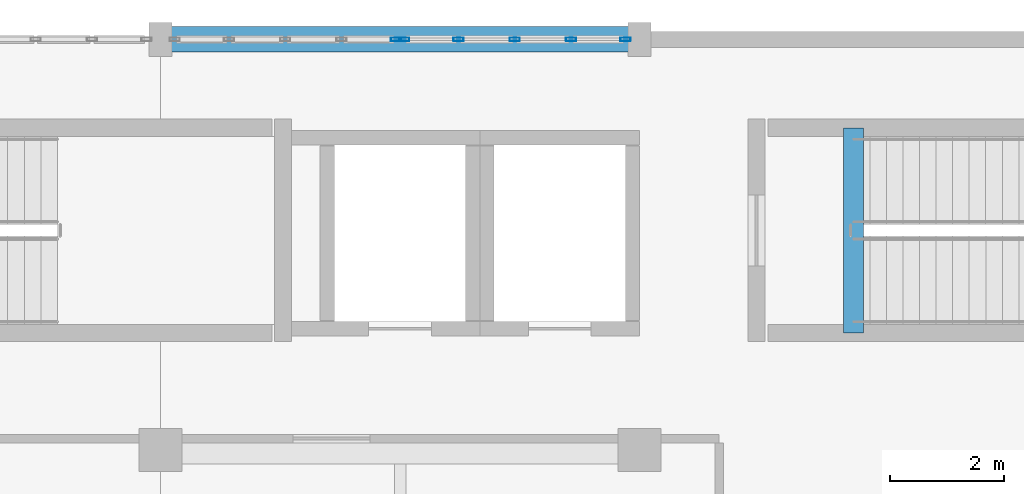
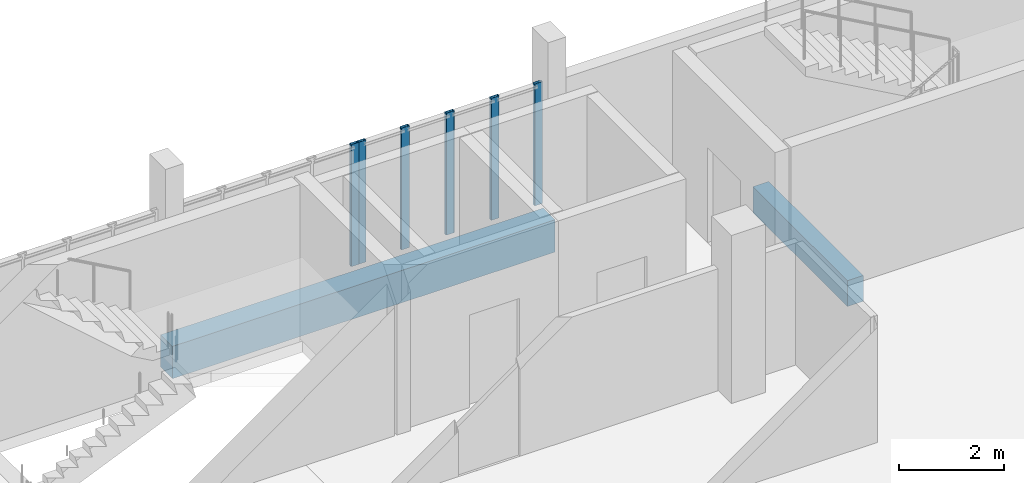
# One storey, part 115 of 188: 6 members, 2 beams, 2 elements without a shape of their own.
"""IFC4 building model written with IfcOpenShell, lengths in metres."""

import ifcopenshell
import ifcopenshell.guid

model = None  # the IFC model being written
_history = None  # IfcOwnerHistory: only IFC2X3 demands one
_inside = {}  # id of a spatial element -> (the spatial element, [elements in it])
_under = {}  # id of a project, library or spatial element -> (it, [spatial elements below it])
_declared = {}  # id of a project -> (the project, [libraries it declares])
_typed = {}  # id of a type object -> (the type object, [elements of that type])
_made_of = {}  # id of a material, layer set ... -> (it, [elements and type objects made of it])


def new_model(schema):
    """Start an empty IFC model of exactly this schema.

    Asked for "IFC4X3", IfcOpenShell would pick the latest addendum, in which some entities
    have other attributes; the version numbers below select the first issue.
    IFC2X3 requires an IfcOwnerHistory on every rooted entity: one is made here for all.
    """
    global model, _history
    if schema == "IFC4X3":
        model = ifcopenshell.file(schema_version=(4, 3, 0, 0))
    else:
        model = ifcopenshell.file(schema=schema)
    _inside.clear()
    _under.clear()
    _declared.clear()
    _typed.clear()
    _made_of.clear()
    _history = None
    if model.schema == "IFC2X3":
        org = make("IfcOrganization", Name="unknown")
        user = make(
            "IfcPersonAndOrganization",
            ThePerson=make("IfcPerson", FamilyName="unknown"),
            TheOrganization=org,
        )
        app = make(
            "IfcApplication",
            ApplicationDeveloper=org,
            Version="unknown",
            ApplicationFullName="unknown",
            ApplicationIdentifier="unknown",
        )
        _history = make(
            "IfcOwnerHistory",
            OwningUser=user,
            OwningApplication=app,
            ChangeAction="ADDED",
            CreationDate=0,
        )
    return model


def make(cls, **values):
    """One entity of the class cls with the attributes given. An attribute that is None is left unset."""
    return model.create_entity(
        cls, **{name: value for name, value in values.items() if value is not None}
    )


def rooted(cls, **values):
    """An entity with a GlobalId (a new one), such as an element, a storey or a relation."""
    return make(cls, GlobalId=ifcopenshell.guid.new(), OwnerHistory=_history, **values)


def si_unit(unit_type, name, prefix=None):
    """IfcSIUnit, for example si_unit("LENGTHUNIT", "METRE", prefix="MILLI")."""
    return make("IfcSIUnit", UnitType=unit_type, Prefix=prefix, Name=name)


def assignment(units):
    """IfcUnitAssignment: the units of a project."""
    return None if units is None else make("IfcUnitAssignment", Units=units)


def point(xyz):
    """IfcCartesianPoint."""
    return None if xyz is None else make("IfcCartesianPoint", Coordinates=xyz)


def direction(xyz):
    """IfcDirection."""
    return None if xyz is None else make("IfcDirection", DirectionRatios=xyz)


def frame(location, z_axis=None, x_axis=None):
    """IfcAxis2Placement3D, a coordinate frame: its origin and axes. An axis left out is left unset."""
    return make(
        "IfcAxis2Placement3D",
        Location=point(location),
        Axis=direction(z_axis),
        RefDirection=direction(x_axis),
    )


def frame_2d(location, x_axis=None):
    """IfcAxis2Placement2D, a coordinate frame in the plane: its origin and x axis."""
    return make(
        "IfcAxis2Placement2D", Location=point(location), RefDirection=direction(x_axis)
    )


def origin():
    """The frame at (0, 0, 0) with its axes left unset."""
    return frame((0.0, 0.0, 0.0))


def origin_2d():
    """The frame at (0, 0) in the plane with its x axis left unset."""
    return frame_2d((0.0, 0.0))


def place(relative_to, where):
    """IfcLocalPlacement: puts the frame where relative to a parent placement (None: the world)."""
    return make(
        "IfcLocalPlacement", PlacementRelTo=relative_to, RelativePlacement=where
    )


def context(
    kind, dimensions, precision=None, world=None, true_north=None, identifier=None
):
    """IfcGeometricRepresentationContext, for example the 3D "Model" context."""
    return make(
        "IfcGeometricRepresentationContext",
        ContextIdentifier=identifier,
        ContextType=kind,
        CoordinateSpaceDimension=dimensions,
        Precision=precision,
        WorldCoordinateSystem=world,
        TrueNorth=true_north,
    )


def subcontext(parent, identifier, kind, view, scale=None):
    """IfcGeometricRepresentationSubContext, for example "Body" below "Model"."""
    return make(
        "IfcGeometricRepresentationSubContext",
        ContextIdentifier=identifier,
        ContextType=kind,
        ParentContext=parent,
        TargetScale=scale,
        TargetView=view,
    )


def project(units=None, contexts=None):
    """IfcProject with its units and contexts."""
    return rooted(
        "IfcProject",
        Name="project",
        RepresentationContexts=contexts,
        UnitsInContext=assignment(units),
    )


def spatial(cls, under=None, at=None, **own):
    """A site, building, storey or space (cls), placed at a placement, below another one or the project."""
    s = rooted(cls, ObjectPlacement=at, **own)
    if under is not None:
        _under.setdefault(under.id(), (under, []))[1].append(s)
    return s


def profile(cls, at=None, kind="AREA", **sizes):
    """A parametric profile (cls). Its sizes go by their IFC names, for example OverallWidth=200.0."""
    return make(cls, ProfileType=kind, Position=at, **sizes)


def rectangle(**sizes):
    """IfcRectangleProfileDef."""
    return profile("IfcRectangleProfileDef", **sizes)


def hollow_rectangle(**sizes):
    """IfcRectangleHollowProfileDef."""
    return profile("IfcRectangleHollowProfileDef", **sizes)


def extrude(swept, where, along, depth):
    """IfcExtrudedAreaSolid: the profile swept, set in the frame where, extruded along a direction by depth."""
    return make(
        "IfcExtrudedAreaSolid",
        SweptArea=swept,
        Position=where,
        ExtrudedDirection=direction(along),
        Depth=depth,
    )


def shape(context_of_items, identifier, shape_type, items):
    """IfcShapeRepresentation: the items that make up one representation, for example the "Body"."""
    return make(
        "IfcShapeRepresentation",
        ContextOfItems=context_of_items,
        RepresentationIdentifier=identifier,
        RepresentationType=shape_type,
        Items=items,
    )


def material(Name=None, Category=None):
    """IfcMaterial."""
    return make("IfcMaterial", Name=Name, Category=Category)


def layer(
    of_material, thickness, ventilated=None, Name=None, Category=None, Priority=None
):
    """IfcMaterialLayer: one layer of a wall or slab, of a material (None: an air gap)."""
    return make(
        "IfcMaterialLayer",
        Material=of_material,
        LayerThickness=thickness,
        IsVentilated=ventilated,
        Name=Name,
        Category=Category,
        Priority=Priority,
    )


def layer_set(layers, Name=None):
    """IfcMaterialLayerSet."""
    return make("IfcMaterialLayerSet", MaterialLayers=layers, LayerSetName=Name)


def material_profile(
    of_material, cross_section, Name=None, Category=None, Priority=None
):
    """IfcMaterialProfile: a cross section and its material."""
    return make(
        "IfcMaterialProfile",
        Name=Name,
        Material=of_material,
        Profile=cross_section,
        Priority=Priority,
        Category=Category,
    )


def profile_set(profiles, Name=None, composite=None):
    """IfcMaterialProfileSet."""
    return make(
        "IfcMaterialProfileSet",
        Name=Name,
        MaterialProfiles=profiles,
        CompositeProfile=composite,
    )


def made_of(thing, what):
    """Note that an element or type object is made of a material, layer set ...; save() writes the relation."""
    if what is not None:
        _made_of.setdefault(what.id(), (what, []))[1].append(thing)
    return thing


def type_object(cls, material=None, **own):
    """A type object (cls), such as IfcWallType, which elements share."""
    return made_of(rooted(cls, **own), material)


def element(
    cls,
    number,
    at=None,
    inside=None,
    cuts=None,
    type_object=None,
    material=None,
    context=None,
    identifier="Body",
    shape_type=None,
    held_by="IfcProductDefinitionShape",
    body=None,
    shapes=None,
    **own,
):
    """One element of the class cls, such as IfcWall. Its Tag is "e" and its number.

    at: its placement. inside: the storey or other place that contains it. cuts: it is an
    opening in that element (IfcRelVoidsElement). A single representation is given by context,
    identifier, shape_type and body (its items); several are given by shapes. held_by: the class
    of the entity that holds the representations. save() writes the other relations.
    """
    e = rooted(cls, Tag="e%d" % number, ObjectPlacement=at, **own)
    if body is not None:
        shapes = [shape(context, identifier, shape_type, body)]
    if shapes is not None:
        e.Representation = make(held_by, Representations=shapes)
    if inside is not None:
        _inside.setdefault(inside.id(), (inside, []))[1].append(e)
    if cuts is not None:
        rooted(
            "IfcRelVoidsElement", RelatingBuildingElement=cuts, RelatedOpeningElement=e
        )
    if type_object is not None:
        _typed.setdefault(type_object.id(), (type_object, []))[1].append(e)
    return made_of(e, material)


def aggregate(whole, parts):
    """IfcRelAggregates: a whole, such as a stair, and the parts it consists of."""
    return rooted("IfcRelAggregates", RelatingObject=whole, RelatedObjects=parts)


def save(model, path):
    """Write the relations noted so far, then the file.

    IfcRelAggregates (storeys below a building ...), IfcRelContainedInSpatialStructure (elements
    in a storey), IfcRelDefinesByType, IfcRelAssociatesMaterial and IfcRelDeclares: one each for
    every whole, place, type object, material and project.
    """
    for whole, parts in _under.values():
        aggregate(whole, parts)
    for where, things in _inside.values():
        rooted(
            "IfcRelContainedInSpatialStructure",
            RelatedElements=things,
            RelatingStructure=where,
        )
    for kind, things in _typed.values():
        rooted("IfcRelDefinesByType", RelatedObjects=things, RelatingType=kind)
    for what, things in _made_of.values():
        rooted("IfcRelAssociatesMaterial", RelatedObjects=things, RelatingMaterial=what)
    for by, libraries in _declared.values():
        rooted("IfcRelDeclares", RelatingContext=by, RelatedDefinitions=libraries)
    model.write(path)


model = new_model("IFC4")

# Units and contexts
model_context = context("Model", 3, precision=1e-05, world=origin(), true_north=direction((0.0, 1.0)))
body_context = subcontext(model_context, "Body", "Model", "MODEL_VIEW")
ifc_project = project(units=[si_unit("LENGTHUNIT", "METRE"), si_unit("AREAUNIT", "SQUARE_METRE"), si_unit("VOLUMEUNIT", "CUBIC_METRE"), si_unit("PLANEANGLEUNIT", "RADIAN"), si_unit("MASSUNIT", "GRAM", prefix="KILO")], contexts=[model_context])

# Site, building, storey
site_placement = place(None, origin())
site = spatial("IfcSite", under=ifc_project, at=site_placement, CompositionType="ELEMENT")
building_placement = place(site_placement, origin())
building = spatial("IfcBuilding", under=site, at=building_placement, Name="Kisaragi Civic Commons", CompositionType="ELEMENT")
storey_placement = place(building_placement, frame((0.0, 0.0, 9.60009765625)))
storey = spatial("IfcBuildingStorey", under=building, at=storey_placement, Name="L02", CompositionType="ELEMENT", Elevation=9.60009765625)

# Curtain wall, member
ifc_material_1 = material(Name="Thermally broken anodized aluminium and low-E double glazing", Category="aluminium")
ifc_layer = layer(ifc_material_1, 0.179931640625, Name="Thermally broken anodized aluminium and low-E double glazing", Category="aluminium")
ifc_layer_set = layer_set([ifc_layer], Name="Thermally broken anodized aluminium and low-E double glazing")
curtain_wall_type = type_object("IfcCurtainWallType", Name="CW-01", PredefinedType="NOTDEFINED", material=ifc_layer_set)
curtain_wall_1_placement = place(storey_placement, origin())
curtain_wall_1 = element("IfcCurtainWall", 1, at=curtain_wall_1_placement, inside=storey, type_object=curtain_wall_type, Name="L02 curtain wall CW-01 CW-V4-L02-083", PredefinedType="NOTDEFINED")
ifc_material_profile_1 = material_profile(ifc_material_1, hollow_rectangle(XDim=0.06494140625, YDim=0.179931640625, WallThickness=0.00439453125, InnerFilletRadius=0.00439453125, OuterFilletRadius=0.009033203125, at=origin_2d()), Name="CWM-65x180x4.5", Category="aluminium")
ifc_profile_set_1 = profile_set([ifc_material_profile_1], Name="Thermally broken anodized aluminium and low-E double glazing")
member_type = type_object("IfcMemberType", Name="CWM-02", PredefinedType="MULLION", material=ifc_profile_set_1)
member_1_placement = place(storey_placement, frame((109.7275390625, 118.800048828125, 0.0), z_axis=(0.0, 0.0, 1.0), x_axis=(0.0, 1.0, 0.0)))
member_1 = element("IfcMember", 2, at=member_1_placement, type_object=member_type, Name="CW-01 mullion 5", PredefinedType="MULLION", context=body_context, shape_type="SweptSolid", body=[
    extrude(hollow_rectangle(XDim=0.06494140625, YDim=0.179931640625, WallThickness=0.00439453125, InnerFilletRadius=0.00439453125, OuterFilletRadius=0.009033203125, at=origin_2d()), origin(), (0.0, 0.0, 1.0), 2.829833984375),
])
aggregate(curtain_wall_1, [member_1])

# Curtain wall, members
curtain_wall_2_placement = place(storey_placement, origin())
curtain_wall_2 = element("IfcCurtainWall", 3, at=curtain_wall_2_placement, inside=storey, type_object=curtain_wall_type, Name="L02 curtain wall CW-01 CW-V4-L02-084", PredefinedType="NOTDEFINED")
member_2_placement = place(storey_placement, frame((109.87255859375, 118.800048828125, 0.0), z_axis=(0.0, 0.0, 1.0), x_axis=(0.0, 1.0, 0.0)))
member_2 = element("IfcMember", 4, at=member_2_placement, type_object=member_type, Name="CW-01 mullion 1", PredefinedType="MULLION", context=body_context, shape_type="SweptSolid", body=[
    extrude(hollow_rectangle(XDim=0.06494140625, YDim=0.179931640625, WallThickness=0.00439453125, InnerFilletRadius=0.00439453125, OuterFilletRadius=0.009033203125, at=origin_2d()), origin(), (0.0, 0.0, 1.0), 2.829833984375),
])
member_3_placement = place(storey_placement, frame((110.826171875, 118.800048828125, 0.0), z_axis=(0.0, 0.0, 1.0), x_axis=(0.0, 1.0, 0.0)))
member_3 = element("IfcMember", 5, at=member_3_placement, type_object=member_type, Name="CW-01 mullion 2", PredefinedType="MULLION", context=body_context, shape_type="SweptSolid", body=[
    extrude(hollow_rectangle(XDim=0.06494140625, YDim=0.179931640625, WallThickness=0.00439453125, InnerFilletRadius=0.00439453125, OuterFilletRadius=0.009033203125, at=origin_2d()), origin(), (0.0, 0.0, 1.0), 2.829833984375),
])
member_4_placement = place(storey_placement, frame((111.8125, 118.800048828125, 0.0), z_axis=(0.0, 0.0, 1.0), x_axis=(0.0, 1.0, 0.0)))
member_4 = element("IfcMember", 6, at=member_4_placement, type_object=member_type, Name="CW-01 mullion 3", PredefinedType="MULLION", context=body_context, shape_type="SweptSolid", body=[
    extrude(hollow_rectangle(XDim=0.06494140625, YDim=0.179931640625, WallThickness=0.00439453125, InnerFilletRadius=0.00439453125, OuterFilletRadius=0.009033203125, at=origin_2d()), origin(), (0.0, 0.0, 1.0), 2.829833984375),
])
member_5_placement = place(storey_placement, frame((112.798828125, 118.800048828125, 0.0), z_axis=(0.0, 0.0, 1.0), x_axis=(0.0, 1.0, 0.0)))
member_5 = element("IfcMember", 7, at=member_5_placement, type_object=member_type, Name="CW-01 mullion 4", PredefinedType="MULLION", context=body_context, shape_type="SweptSolid", body=[
    extrude(hollow_rectangle(XDim=0.06494140625, YDim=0.179931640625, WallThickness=0.00439453125, InnerFilletRadius=0.00439453125, OuterFilletRadius=0.009033203125, at=origin_2d()), origin(), (0.0, 0.0, 1.0), 2.829833984375),
])
member_6_placement = place(storey_placement, frame((113.75244140625, 118.800048828125, 0.0), z_axis=(0.0, 0.0, 1.0), x_axis=(0.0, 1.0, 0.0)))
member_6 = element("IfcMember", 8, at=member_6_placement, type_object=member_type, Name="CW-01 mullion 5", PredefinedType="MULLION", context=body_context, shape_type="SweptSolid", body=[
    extrude(hollow_rectangle(XDim=0.06494140625, YDim=0.179931640625, WallThickness=0.00439453125, InnerFilletRadius=0.00439453125, OuterFilletRadius=0.009033203125, at=origin_2d()), origin(), (0.0, 0.0, 1.0), 2.829833984375),
])
aggregate(curtain_wall_2, [member_2, member_3, member_4, member_5, member_6])

# Beams
ifc_material_2 = material(Name="Concrete Fc30", Category="concrete")
ifc_material_profile_2 = material_profile(ifc_material_2, rectangle(XDim=0.35009765625, YDim=0.60009765625, at=origin_2d()), Name="RC-350x600", Category="concrete")
ifc_profile_set_2 = profile_set([ifc_material_profile_2], Name="Concrete Fc30")
beam_type_1 = type_object("IfcBeamType", Name="G-14", PredefinedType="BEAM", material=ifc_profile_set_2)
beam_1_placement = place(storey_placement, frame((117.75, 113.64990234375, -0.300048828125), z_axis=(0.0, 1.0, 0.0), x_axis=(-1.0, 0.0, 0.0)))
element("IfcBeam", 9, at=beam_1_placement, inside=storey, type_object=beam_type_1, Name="ST-L2 L02 stair landing trimmer beam", PredefinedType="BEAM", context=body_context, shape_type="SweptSolid", body=[
    extrude(rectangle(XDim=0.35009765625, YDim=0.60009765625, at=origin_2d()), origin(), (0.0, 0.0, 1.0), 3.60009765625),
])
ifc_material_profile_3 = material_profile(ifc_material_2, rectangle(XDim=0.449951171875, YDim=0.75, at=origin_2d()), Name="RC-450x750", Category="concrete")
ifc_profile_set_3 = profile_set([ifc_material_profile_3], Name="Concrete Fc30")
beam_type_2 = type_object("IfcBeamType", Name="SPB-04", PredefinedType="SPANDREL", material=ifc_profile_set_3)
beam_2_placement = place(storey_placement, frame((105.60009765625, 118.800048828125, -0.695068359375), z_axis=(1.0, 0.0, 0.0), x_axis=(0.0, 1.0, 0.0)))
element("IfcBeam", 10, at=beam_2_placement, inside=storey, type_object=beam_type_2, Name="L02 girder SPB-04 312", PredefinedType="SPANDREL", context=body_context, shape_type="SweptSolid", body=[
    extrude(rectangle(XDim=0.449951171875, YDim=0.75, at=origin_2d()), origin(), (0.0, 0.0, 1.0), 8.39990234375),
])

save(model, "model.ifc")
